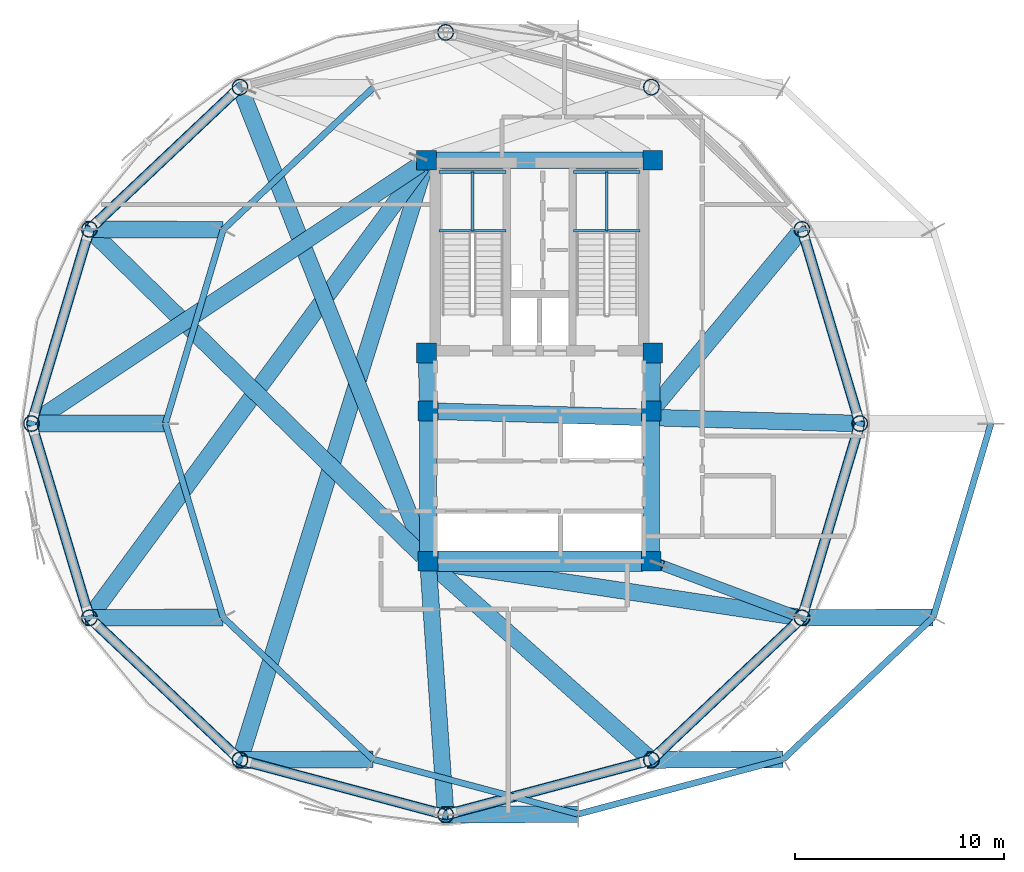
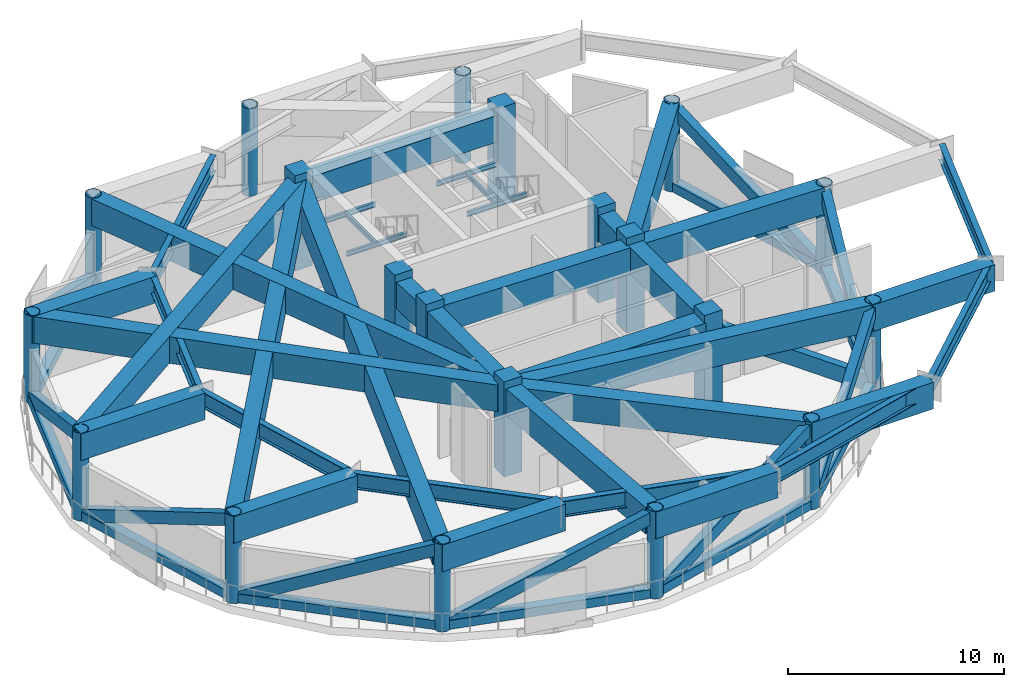
# One storey, part 1 of 8: 37 beams, 20 columns, 19 members.
"""IFC4 building model written with IfcOpenShell, lengths in metres."""

from ifc_helpers import new_model, si_unit, direction, frame, origin, origin_2d, place, context, subcontext, project, spatial, rectangle, hollow_rectangle, hollow_circle, i_section, extrude, material, material_profile, profile_set, type_object, element, save


model = new_model("IFC4")

# Units and contexts
model_context = context("Model", 3, precision=1e-05, world=origin(), true_north=direction((0.0, 1.0)))
body_context = subcontext(model_context, "Body", "Model", "MODEL_VIEW")
ifc_project = project(units=[si_unit("LENGTHUNIT", "METRE"), si_unit("AREAUNIT", "SQUARE_METRE"), si_unit("VOLUMEUNIT", "CUBIC_METRE"), si_unit("PLANEANGLEUNIT", "RADIAN"), si_unit("MASSUNIT", "GRAM", prefix="KILO")], contexts=[model_context])

# Site, building, storey
site_placement = place(None, origin())
site = spatial("IfcSite", under=ifc_project, at=site_placement, CompositionType="ELEMENT")
building_placement = place(site_placement, origin())
building = spatial("IfcBuilding", under=site, at=building_placement, Name="Varnakorn Sky Granary", CompositionType="ELEMENT")
storey_placement = place(building_placement, frame((0.0, 0.0, 173.39990234375)))
storey = spatial("IfcBuildingStorey", under=building, at=storey_placement, Name="L43", CompositionType="ELEMENT", Elevation=173.39990234375)

# Columns
ifc_material_1 = material(Name="Steel S460M", Category="steel")
ifc_material_profile_1 = material_profile(ifc_material_1, hollow_circle(Radius=0.381103515625, WallThickness=0.028076171875, at=origin_2d()), Name="CHS 762x28")
ifc_profile_set_1 = profile_set([ifc_material_profile_1], Name="Steel S460M")
column_type_1 = type_object("IfcColumnType", Name="COL-DC-Z3", PredefinedType="COLUMN", material=ifc_profile_set_1)
for number, where, z_axis, x_axis, name in (
    (1, (18.35009765625, 0.0, 0.0), (0.0, 0.0, 1.0), (1.0, 0.0, 0.0), "Drum Perimeter Column DC01 L43"),
    (2, (15.57373046875, 9.3076171875, 0.0), (0.0, 0.0, 1.0), (1.0, 0.0, 0.0), "Drum Perimeter Column DC02 L43"),
    (3, (8.357421875, 16.12109375, 0.0), (0.0, 0.0, 1.0), (1.0, 0.0, 0.0), "Drum Perimeter Column DC03 L43"),
    (4, (-1.5, 18.75, 0.0), (0.0, 0.0, 1.0), (1.0, 0.0, 0.0), "Drum Perimeter Column DC04 L43"),
    (5, (-11.357421875, 16.12109375, 0.0), (0.0, 0.0, 1.0), (1.0, 0.0, 0.0), "Drum Perimeter Column DC05 L43"),
    (6, (-18.57373046875, 9.3076171875, 0.0), (0.0, 0.0, 1.0), (1.0, 0.0, 0.0), "Drum Perimeter Column DC06 L43"),
    (7, (-21.35009765625, 0.0, 0.0), (0.0, 0.0, 1.0), (1.0, 0.0, 0.0), "Drum Perimeter Column DC07 L43"),
    (8, (-18.57373046875, -9.3076171875, 0.0), (0.0, 0.0, 1.0), (1.0, 0.0, 0.0), "Drum Perimeter Column DC08 L43"),
    (9, (-11.357421875, -16.12109375, 0.0), (0.0, 0.0, 1.0), (1.0, 0.0, 0.0), "Drum Perimeter Column DC09 L43"),
    (10, (-1.5, -18.75, 0.0), (0.0, 0.0, 1.0), (1.0, 0.0, 0.0), "Drum Perimeter Column DC10 L43"),
    (11, (8.357421875, -16.12109375, 0.0), (0.0, 0.0, 1.0), (1.0, 0.0, 0.0), "Drum Perimeter Column DC11 L43"),
    (12, (15.57373046875, -9.3076171875, 0.0), (0.0, 0.0, 1.0), (1.0, 0.0, 0.0), "Drum Perimeter Column DC12 L43"),
):
    element("IfcColumn", number, at=place(storey_placement, frame(where, z_axis=z_axis, x_axis=x_axis)), inside=storey, type_object=column_type_1, Name=name, PredefinedType="COLUMN", context=body_context, shape_type="SweptSolid", body=[
        extrude(hollow_circle(Radius=0.381103515625, WallThickness=0.028076171875, at=origin_2d()), origin(), (0.0, 0.0, 1.0), 4.9501953125),
    ])
ifc_material_2 = material(Name="Concrete C50/60", Category="concrete")
ifc_material_profile_2 = material_profile(ifc_material_2, rectangle(XDim=0.949951171875, YDim=0.949951171875, at=origin_2d()), Name="RC 950x950")
ifc_profile_set_2 = profile_set([ifc_material_profile_2], Name="Concrete C50/60")
column_type_2 = type_object("IfcColumnType", Name="COL-MC-Z3", PredefinedType="COLUMN", material=ifc_profile_set_2)
for number, where, z_axis, x_axis, name in (
    (13, (-2.419921875, 12.6201171875, 0.0), (0.0, 0.0, 1.0), (1.0, 0.0, 0.0), "Backbone Mega-Column MC1 L43"),
    (14, (8.419921875, 12.6201171875, 0.0), (0.0, 0.0, 1.0), (1.0, 0.0, 0.0), "Backbone Mega-Column MC2 L43"),
    (15, (-2.419921875, 3.3798828125, 0.0), (0.0, 0.0, 1.0), (1.0, 0.0, 0.0), "Backbone Mega-Column MC3 L43"),
    (16, (8.419921875, 3.3798828125, 0.0), (0.0, 0.0, 1.0), (1.0, 0.0, 0.0), "Backbone Mega-Column MC4 L43"),
    (17, (-2.35009765625, 0.60009765625, 0.0), (0.0, 0.0, 1.0), (1.0, 0.0, 0.0), "Backbone Mega-Column MC5 L43"),
    (18, (8.35009765625, 0.60009765625, 0.0), (0.0, 0.0, 1.0), (1.0, 0.0, 0.0), "Backbone Mega-Column MC6 L43"),
    (19, (-2.35009765625, -6.60009765625, 0.0), (0.0, 0.0, 1.0), (1.0, 0.0, 0.0), "Backbone Mega-Column MC7 L43"),
    (20, (8.35009765625, -6.60009765625, 0.0), (0.0, 0.0, 1.0), (1.0, 0.0, 0.0), "Backbone Mega-Column MC8 L43"),
):
    element("IfcColumn", number, at=place(storey_placement, frame(where, z_axis=z_axis, x_axis=x_axis)), inside=storey, type_object=column_type_2, Name=name, PredefinedType="COLUMN", context=body_context, shape_type="SweptSolid", body=[
        extrude(rectangle(XDim=0.949951171875, YDim=0.949951171875, at=origin_2d()), origin(), (0.0, 0.0, 1.0), 5.375),
    ])

# Beams
ifc_material_3 = material(Name="Steel S355JR", Category="steel")
ifc_material_profile_3 = material_profile(ifc_material_3, i_section(OverallWidth=0.135009765625, OverallDepth=0.27001953125, WebThickness=0.006591796875, FlangeThickness=0.01025390625, at=origin_2d()), Name="IPE 270")
ifc_profile_set_3 = profile_set([ifc_material_profile_3], Name="Steel S355JR")
beam_type_1 = type_object("IfcBeamType", Name="BM-LND-270", PredefinedType="BEAM", material=ifc_profile_set_3)
for number, where, z_axis, x_axis, name in (
    (21, (-1.820068359375, 9.239990234375, 2.364990234375), (1.0, 0.0, 0.0), (0.0, 1.0, 0.0), "Stair ST-1 Landing Trimmer Beam A L43-1"),
    (22, (-1.820068359375, 12.06005859375, 2.364990234375), (1.0, 0.0, 0.0), (0.0, 1.0, 0.0), "Stair ST-1 Landing Trimmer Beam B L43-1"),
):
    element("IfcBeam", number, at=place(storey_placement, frame(where, z_axis=z_axis, x_axis=x_axis)), inside=storey, type_object=beam_type_1, Name=name, PredefinedType="BEAM", context=body_context, shape_type="SweptSolid", body=[
        extrude(i_section(OverallWidth=0.135009765625, OverallDepth=0.27001953125, WebThickness=0.006591796875, FlangeThickness=0.01025390625, at=origin_2d()), origin(), (0.0, 0.0, 1.0), 3.199951171875),
    ])
beam_1_placement = place(storey_placement, frame((-0.219970703125, 9.239990234375, 2.364990234375), z_axis=(0.0, 1.0, 0.0), x_axis=(-1.0, 0.0, 0.0)))
element("IfcBeam", 23, at=beam_1_placement, inside=storey, type_object=beam_type_1, Name="Stair ST-1 Landing Cross Beam C L43-1", PredefinedType="BEAM", context=body_context, shape_type="SweptSolid", body=[
    extrude(i_section(OverallWidth=0.135009765625, OverallDepth=0.27001953125, WebThickness=0.006591796875, FlangeThickness=0.01025390625, at=origin_2d()), origin(), (0.0, 0.0, 1.0), 2.820068359375),
])
for number, where, z_axis, x_axis, name in (
    (24, (4.6201171875, 9.239990234375, 2.364990234375), (1.0, 0.0, 0.0), (0.0, 1.0, 0.0), "Stair ST-2 Landing Trimmer Beam A L43-1"),
    (25, (4.6201171875, 12.06005859375, 2.364990234375), (1.0, 0.0, 0.0), (0.0, 1.0, 0.0), "Stair ST-2 Landing Trimmer Beam B L43-1"),
):
    element("IfcBeam", number, at=place(storey_placement, frame(where, z_axis=z_axis, x_axis=x_axis)), inside=storey, type_object=beam_type_1, Name=name, PredefinedType="BEAM", context=body_context, shape_type="SweptSolid", body=[
        extrude(i_section(OverallWidth=0.135009765625, OverallDepth=0.27001953125, WebThickness=0.006591796875, FlangeThickness=0.01025390625, at=origin_2d()), origin(), (0.0, 0.0, 1.0), 3.199951171875),
    ])
beam_2_placement = place(storey_placement, frame((6.219970703125, 9.239990234375, 2.364990234375), z_axis=(0.0, 1.0, 0.0), x_axis=(-1.0, 0.0, 0.0)))
element("IfcBeam", 26, at=beam_2_placement, inside=storey, type_object=beam_type_1, Name="Stair ST-2 Landing Cross Beam C L43-1", PredefinedType="BEAM", context=body_context, shape_type="SweptSolid", body=[
    extrude(i_section(OverallWidth=0.135009765625, OverallDepth=0.27001953125, WebThickness=0.006591796875, FlangeThickness=0.01025390625, at=origin_2d()), origin(), (0.0, 0.0, 1.0), 2.820068359375),
])
ifc_material_profile_4 = material_profile(ifc_material_3, i_section(OverallWidth=0.300048828125, OverallDepth=0.89990234375, WebThickness=0.0185546875, FlangeThickness=0.034912109375, at=origin_2d()), Name="HE 900 B")
ifc_profile_set_4 = profile_set([ifc_material_profile_4], Name="Steel S355JR")
beam_type_2 = type_object("IfcBeamType", Name="BM-PG-900", PredefinedType="BEAM", material=ifc_profile_set_4)
beam_3_placement = place(storey_placement, frame((-4.980712890625, 16.084716796875, 4.5), z_axis=(-0.726542778952, -0.687121234101, 0.0), x_axis=(0.687121234101, -0.726542778952, 0.0)))
element("IfcBeam", 27, at=beam_3_placement, inside=storey, type_object=beam_type_2, Name="Upper-Drum Perimeter Ring Girder 5", PredefinedType="BEAM", context=body_context, shape_type="SweptSolid", body=[
    extrude(i_section(OverallWidth=0.300048828125, OverallDepth=0.89990234375, WebThickness=0.0185546875, FlangeThickness=0.034912109375, at=origin_2d()), origin(), (0.0, 0.0, 1.0), 9.8779296875),
])
for number, where, z_axis, x_axis, name in (
    (28, (-12.167724609375, 9.281005859375, 4.5), (-0.28545340644, -0.95839258801, 0.0), (0.95839258801, -0.28545340644, 0.0), "Upper-Drum Perimeter Ring Girder 6"),
    (29, (-14.92919921875, -0.009521484375, 4.5), (0.28545340644, -0.95839258801, 0.0), (0.95839258801, 0.28545340644, 0.0), "Upper-Drum Perimeter Ring Girder 7"),
):
    element("IfcBeam", number, at=place(storey_placement, frame(where, z_axis=z_axis, x_axis=x_axis)), inside=storey, type_object=beam_type_2, Name=name, PredefinedType="BEAM", context=body_context, shape_type="SweptSolid", body=[
        extrude(i_section(OverallWidth=0.300048828125, OverallDepth=0.89990234375, WebThickness=0.0185546875, FlangeThickness=0.034912109375, at=origin_2d()), origin(), (0.0, 0.0, 1.0), 9.674072265625),
    ])
beam_4_placement = place(storey_placement, frame((-12.157470703125, -9.29736328125, 4.5), z_axis=(0.726542778952, -0.687121234101, 0.0), x_axis=(0.687121234101, 0.726542778952, 0.0)))
element("IfcBeam", 30, at=beam_4_placement, inside=storey, type_object=beam_type_2, Name="Upper-Drum Perimeter Ring Girder 8", PredefinedType="BEAM", context=body_context, shape_type="SweptSolid", body=[
    extrude(i_section(OverallWidth=0.300048828125, OverallDepth=0.89990234375, WebThickness=0.0185546875, FlangeThickness=0.034912109375, at=origin_2d()), origin(), (0.0, 0.0, 1.0), 9.8779296875),
])
for number, where, z_axis, x_axis, name in (
    (31, (-4.9638671875, -16.09423828125, 4.5), (0.966119844286, -0.258093871445, 0.0), (0.258093871445, 0.966119844286, 0.0), "Upper-Drum Perimeter Ring Girder 9"),
    (32, (4.859619140625, -18.71337890625, 4.5), (0.966119844286, 0.258093871445, 0.0), (-0.258093871445, 0.966119844286, 0.0), "Upper-Drum Perimeter Ring Girder 10"),
):
    element("IfcBeam", number, at=place(storey_placement, frame(where, z_axis=z_axis, x_axis=x_axis)), inside=storey, type_object=beam_type_2, Name=name, PredefinedType="BEAM", context=body_context, shape_type="SweptSolid", body=[
        extrude(i_section(OverallWidth=0.300048828125, OverallDepth=0.89990234375, WebThickness=0.0185546875, FlangeThickness=0.034912109375, at=origin_2d()), origin(), (0.0, 0.0, 1.0), 10.14794921875),
    ])
beam_5_placement = place(storey_placement, frame((14.680908203125, -16.084716796875, 4.5), z_axis=(0.726531109475, 0.68713357287, 0.0), x_axis=(-0.68713357287, 0.726531109475, 0.0)))
element("IfcBeam", 33, at=beam_5_placement, inside=storey, type_object=beam_type_2, Name="Upper-Drum Perimeter Ring Girder 11", PredefinedType="BEAM", context=body_context, shape_type="SweptSolid", body=[
    extrude(i_section(OverallWidth=0.300048828125, OverallDepth=0.89990234375, WebThickness=0.0185546875, FlangeThickness=0.034912109375, at=origin_2d()), origin(), (0.0, 0.0, 1.0), 9.877685546875),
])
beam_6_placement = place(storey_placement, frame((21.86767578125, -9.281005859375, 4.5), z_axis=(0.28545340644, 0.95839258801, 0.0), x_axis=(-0.95839258801, 0.28545340644, 0.0)))
element("IfcBeam", 34, at=beam_6_placement, inside=storey, type_object=beam_type_2, Name="Upper-Drum Perimeter Ring Girder 12", PredefinedType="BEAM", context=body_context, shape_type="SweptSolid", body=[
    extrude(i_section(OverallWidth=0.300048828125, OverallDepth=0.89990234375, WebThickness=0.0185546875, FlangeThickness=0.034912109375, at=origin_2d()), origin(), (0.0, 0.0, 1.0), 9.674072265625),
])
ifc_material_profile_5 = material_profile(ifc_material_1, hollow_rectangle(XDim=0.800048828125, YDim=1.5, WallThickness=0.0400390625, at=origin_2d()), Name="BOX 800x1500x40")
ifc_profile_set_5 = profile_set([ifc_material_profile_5], Name="Steel S460M")
beam_type_3 = type_object("IfcBeamType", Name="BM-TB-1500", PredefinedType="BEAM", material=ifc_profile_set_5)
beam_7_placement = place(storey_placement, frame((-1.97021484375, 0.589111328125, 4.2001953125), z_axis=(0.999580108334, -0.028975973194, 0.0), x_axis=(0.028975973194, 0.999580108334, 0.0)))
element("IfcBeam", 35, at=beam_7_placement, inside=storey, type_object=beam_type_3, Name="Transfer Back-Span Girder 1", PredefinedType="BEAM", context=body_context, shape_type="SweptSolid", body=[
    extrude(hollow_rectangle(XDim=0.800048828125, YDim=1.5, WallThickness=0.0400390625, at=origin_2d()), origin(), (0.0, 0.0, 1.0), 20.12890625),
])
beam_8_placement = place(storey_placement, frame((8.592529296875, 0.892578125, 4.2001953125), z_axis=(0.638498237366, 0.769623285043, 0.0), x_axis=(-0.769623285043, 0.638498237366, 0.0)))
element("IfcBeam", 36, at=beam_8_placement, inside=storey, type_object=beam_type_3, Name="Transfer Back-Span Girder 2", PredefinedType="BEAM", context=body_context, shape_type="SweptSolid", body=[
    extrude(hollow_rectangle(XDim=0.800048828125, YDim=1.5, WallThickness=0.0400390625, at=origin_2d()), origin(), (0.0, 0.0, 1.0), 10.73388671875),
])
beam_9_placement = place(storey_placement, frame((-2.489990234375, -6.24658203125, 4.2001953125), z_axis=(-0.368532884784, 0.929614712036, 0.0), x_axis=(-0.929614712036, -0.368532884784, 0.0)))
element("IfcBeam", 37, at=beam_9_placement, inside=storey, type_object=beam_type_3, Name="Transfer Back-Span Girder 5", PredefinedType="BEAM", context=body_context, shape_type="SweptSolid", body=[
    extrude(hollow_rectangle(XDim=0.800048828125, YDim=1.5, WallThickness=0.0400390625, at=origin_2d()), origin(), (0.0, 0.0, 1.0), 23.861328125),
])
beam_10_placement = place(storey_placement, frame((-2.621337890625, -6.333984375, 4.2001953125), z_axis=(-0.714030253721, 0.700114845416, 0.0), x_axis=(-0.700114845416, -0.714030253721, 0.0)))
element("IfcBeam", 38, at=beam_10_placement, inside=storey, type_object=beam_type_3, Name="Transfer Back-Span Girder 6", PredefinedType="BEAM", context=body_context, shape_type="SweptSolid", body=[
    extrude(hollow_rectangle(XDim=0.800048828125, YDim=1.5, WallThickness=0.0400390625, at=origin_2d()), origin(), (0.0, 0.0, 1.0), 22.141357421875),
])
beam_11_placement = place(storey_placement, frame((-18.773681640625, 9.30810546875, 4.2001953125), z_axis=(0.999996462828, -0.002659761556, 0.0), x_axis=(0.002659761556, 0.999996462828, 0.0)))
element("IfcBeam", 39, at=beam_11_placement, inside=storey, type_object=beam_type_3, Name="Shifted-Drum Cantilever Transfer Girder 6", PredefinedType="BEAM", context=body_context, shape_type="SweptSolid", body=[
    extrude(hollow_rectangle(XDim=0.800048828125, YDim=1.5, WallThickness=0.0400390625, at=origin_2d()), origin(), (0.0, 0.0, 1.0), 6.60888671875),
])
beam_12_placement = place(storey_placement, frame((-2.736083984375, 12.4091796875, 4.2001953125), z_axis=(-0.832050294338, -0.554700196225, 0.0), x_axis=(0.554700196225, -0.832050294338, 0.0)))
element("IfcBeam", 40, at=beam_12_placement, inside=storey, type_object=beam_type_3, Name="Transfer Back-Span Girder 7", PredefinedType="BEAM", context=body_context, shape_type="SweptSolid", body=[
    extrude(hollow_rectangle(XDim=0.800048828125, YDim=1.5, WallThickness=0.0400390625, at=origin_2d()), origin(), (0.0, 0.0, 1.0), 22.171142578125),
])
beam_13_placement = place(storey_placement, frame((-21.550048828125, 0.0, 4.2001953125), z_axis=(1.0, 0.0, 0.0), x_axis=(0.0, 1.0, 0.0)))
element("IfcBeam", 41, at=beam_13_placement, inside=storey, type_object=beam_type_3, Name="Shifted-Drum Cantilever Transfer Girder 7", PredefinedType="BEAM", context=body_context, shape_type="SweptSolid", body=[
    extrude(hollow_rectangle(XDim=0.800048828125, YDim=1.5, WallThickness=0.0400390625, at=origin_2d()), origin(), (0.0, 0.0, 1.0), 6.6181640625),
])
beam_14_placement = place(storey_placement, frame((-2.6455078125, 12.314208984375, 4.2001953125), z_axis=(-0.593112178557, -0.805119831856, 0.0), x_axis=(0.805119831856, -0.593112178557, 0.0)))
element("IfcBeam", 42, at=beam_14_placement, inside=storey, type_object=beam_type_3, Name="Transfer Back-Span Girder 8", PredefinedType="BEAM", context=body_context, shape_type="SweptSolid", body=[
    extrude(hollow_rectangle(XDim=0.800048828125, YDim=1.5, WallThickness=0.0400390625, at=origin_2d()), origin(), (0.0, 0.0, 1.0), 26.6552734375),
])
beam_15_placement = place(storey_placement, frame((-18.773681640625, -9.30810546875, 4.2001953125), z_axis=(0.999996462828, 0.002659761556, 0.0), x_axis=(-0.002659761556, 0.999996462828, 0.0)))
element("IfcBeam", 43, at=beam_15_placement, inside=storey, type_object=beam_type_3, Name="Shifted-Drum Cantilever Transfer Girder 8", PredefinedType="BEAM", context=body_context, shape_type="SweptSolid", body=[
    extrude(hollow_rectangle(XDim=0.800048828125, YDim=1.5, WallThickness=0.0400390625, at=origin_2d()), origin(), (0.0, 0.0, 1.0), 6.60888671875),
])
beam_16_placement = place(storey_placement, frame((-2.53271484375, 12.257080078125, 4.2001953125), z_axis=(-0.296943383209, -0.954895086996, 0.0), x_axis=(0.954895086996, -0.296943383209, 0.0)))
element("IfcBeam", 44, at=beam_16_placement, inside=storey, type_object=beam_type_3, Name="Transfer Back-Span Girder 9", PredefinedType="BEAM", context=body_context, shape_type="SweptSolid", body=[
    extrude(hollow_rectangle(XDim=0.800048828125, YDim=1.5, WallThickness=0.0400390625, at=origin_2d()), origin(), (0.0, 0.0, 1.0), 29.518798828125),
])
beam_17_placement = place(storey_placement, frame((-11.5576171875, -16.1220703125, 4.2001953125), z_axis=(0.999989258787, 0.004634901455, 0.0), x_axis=(-0.004634901455, 0.999989258787, 0.0)))
element("IfcBeam", 45, at=beam_17_placement, inside=storey, type_object=beam_type_3, Name="Shifted-Drum Cantilever Transfer Girder 9", PredefinedType="BEAM", context=body_context, shape_type="SweptSolid", body=[
    extrude(hollow_rectangle(XDim=0.800048828125, YDim=1.5, WallThickness=0.0400390625, at=origin_2d()), origin(), (0.0, 0.0, 1.0), 6.584228515625),
])
beam_18_placement = place(storey_placement, frame((-2.323486328125, -6.97900390625, 4.2001953125), z_axis=(0.069791637339, -0.997561590759, 0.0), x_axis=(0.997561590759, 0.069791637339, 0.0)))
element("IfcBeam", 46, at=beam_18_placement, inside=storey, type_object=beam_type_3, Name="Transfer Back-Span Girder 10", PredefinedType="BEAM", context=body_context, shape_type="SweptSolid", body=[
    extrude(hollow_rectangle(XDim=0.800048828125, YDim=1.5, WallThickness=0.0400390625, at=origin_2d()), origin(), (0.0, 0.0, 1.0), 11.599853515625),
])
beam_19_placement = place(storey_placement, frame((-1.699951171875, -18.751220703125, 4.2001953125), z_axis=(0.999985596215, 0.005367249091, 0.0), x_axis=(-0.005367249091, 0.999985596215, 0.0)))
element("IfcBeam", 47, at=beam_19_placement, inside=storey, type_object=beam_type_3, Name="Shifted-Drum Cantilever Transfer Girder 10", PredefinedType="BEAM", context=body_context, shape_type="SweptSolid", body=[
    extrude(hollow_rectangle(XDim=0.800048828125, YDim=1.5, WallThickness=0.0400390625, at=origin_2d()), origin(), (0.0, 0.0, 1.0), 6.550048828125),
])
beam_20_placement = place(storey_placement, frame((-2.06591796875, -6.8525390625, 4.2001953125), z_axis=(0.747287817679, -0.664500502294, 0.0), x_axis=(0.664500502294, 0.747287817679, 0.0)))
element("IfcBeam", 48, at=beam_20_placement, inside=storey, type_object=beam_type_3, Name="Transfer Back-Span Girder 11", PredefinedType="BEAM", context=body_context, shape_type="SweptSolid", body=[
    extrude(hollow_rectangle(XDim=0.800048828125, YDim=1.5, WallThickness=0.0400390625, at=origin_2d()), origin(), (0.0, 0.0, 1.0), 13.748291015625),
])
beam_21_placement = place(storey_placement, frame((8.157470703125, -16.1220703125, 4.2001953125), z_axis=(0.999989033053, 0.004683350661, 0.0), x_axis=(-0.004683350661, 0.999989033053, 0.0)))
element("IfcBeam", 49, at=beam_21_placement, inside=storey, type_object=beam_type_3, Name="Shifted-Drum Cantilever Transfer Girder 11", PredefinedType="BEAM", context=body_context, shape_type="SweptSolid", body=[
    extrude(hollow_rectangle(XDim=0.800048828125, YDim=1.5, WallThickness=0.0400390625, at=origin_2d()), origin(), (0.0, 0.0, 1.0), 6.51611328125),
])
beam_22_placement = place(storey_placement, frame((-1.974365234375, -6.65673828125, 4.2001953125), z_axis=(0.988782847743, -0.1493602357, 0.0), x_axis=(0.1493602357, 0.988782847743, 0.0)))
element("IfcBeam", 50, at=beam_22_placement, inside=storey, type_object=beam_type_3, Name="Transfer Back-Span Girder 12", PredefinedType="BEAM", context=body_context, shape_type="SweptSolid", body=[
    extrude(hollow_rectangle(XDim=0.800048828125, YDim=1.5, WallThickness=0.0400390625, at=origin_2d()), origin(), (0.0, 0.0, 1.0), 17.547119140625),
])
beam_23_placement = place(storey_placement, frame((15.373779296875, -9.30810546875, 4.2001953125), z_axis=(0.999996333143, 0.00270808049, 0.0), x_axis=(-0.00270808049, 0.999996333143, 0.0)))
element("IfcBeam", 51, at=beam_23_placement, inside=storey, type_object=beam_type_3, Name="Shifted-Drum Cantilever Transfer Girder 12", PredefinedType="BEAM", context=body_context, shape_type="SweptSolid", body=[
    extrude(hollow_rectangle(XDim=0.800048828125, YDim=1.5, WallThickness=0.0400390625, at=origin_2d()), origin(), (0.0, 0.0, 1.0), 6.490966796875),
])
beam_24_placement = place(storey_placement, frame((-2.02001953125, 12.6201171875, 4.2001953125), z_axis=(1.0, 0.0, 0.0), x_axis=(0.0, 1.0, 0.0)))
element("IfcBeam", 52, at=beam_24_placement, inside=storey, type_object=beam_type_3, Name="Transfer Core Tie Box Girder 1", PredefinedType="BEAM", context=body_context, shape_type="SweptSolid", body=[
    extrude(hollow_rectangle(XDim=0.800048828125, YDim=1.5, WallThickness=0.0400390625, at=origin_2d()), origin(), (0.0, 0.0, 1.0), 10.0400390625),
])
for number, where, z_axis, x_axis, name in (
    (53, (-2.409912109375, 2.97998046875, 4.2001953125), (0.025146176587, -0.999683784906, 0.0), (0.999683784906, 0.025146176587, 0.0), "Transfer Core Tie Box Girder 3"),
    (54, (8.409912109375, 2.97998046875, 4.2001953125), (-0.025146176587, -0.999683784906, 0.0), (0.999683784906, -0.025146176587, 0.0), "Transfer Core Tie Box Girder 4"),
):
    element("IfcBeam", number, at=place(storey_placement, frame(where, z_axis=z_axis, x_axis=x_axis)), inside=storey, type_object=beam_type_3, Name=name, PredefinedType="BEAM", context=body_context, shape_type="SweptSolid", body=[
        extrude(hollow_rectangle(XDim=0.800048828125, YDim=1.5, WallThickness=0.0400390625, at=origin_2d()), origin(), (0.0, 0.0, 1.0), 1.980712890625),
    ])
for number, where, z_axis, x_axis, name in (
    (55, (-2.35009765625, 0.199951171875, 4.2001953125), (0.0, -1.0, 0.0), (1.0, 0.0, 0.0), "Transfer Core Tie Box Girder 5"),
    (56, (8.35009765625, 0.199951171875, 4.2001953125), (0.0, -1.0, 0.0), (1.0, 0.0, 0.0), "Transfer Core Tie Box Girder 6"),
):
    element("IfcBeam", number, at=place(storey_placement, frame(where, z_axis=z_axis, x_axis=x_axis)), inside=storey, type_object=beam_type_3, Name=name, PredefinedType="BEAM", context=body_context, shape_type="SweptSolid", body=[
        extrude(hollow_rectangle(XDim=0.800048828125, YDim=1.5, WallThickness=0.0400390625, at=origin_2d()), origin(), (0.0, 0.0, 1.0), 6.39990234375),
    ])
ifc_material_profile_6 = material_profile(ifc_material_1, hollow_rectangle(XDim=1.0, YDim=2.199951171875, WallThickness=0.050048828125, at=origin_2d()), Name="BOX 1000x2200x50")
ifc_profile_set_6 = profile_set([ifc_material_profile_6], Name="Steel S460M")
beam_type_4 = type_object("IfcBeamType", Name="BM-TB-2200", PredefinedType="BEAM", material=ifc_profile_set_6)
beam_25_placement = place(storey_placement, frame((-1.949951171875, -6.60009765625, 3.85009765625), z_axis=(1.0, 0.0, 0.0), x_axis=(0.0, 1.0, 0.0)))
element("IfcBeam", 57, at=beam_25_placement, inside=storey, type_object=beam_type_4, Name="Transfer Core Tie Box Girder 2", PredefinedType="BEAM", context=body_context, shape_type="SweptSolid", body=[
    extrude(hollow_rectangle(XDim=1.0, YDim=2.199951171875, WallThickness=0.050048828125, at=origin_2d()), origin(), (0.0, 0.0, 1.0), 9.89990234375),
])

# Members
ifc_material_profile_7 = material_profile(ifc_material_1, hollow_rectangle(XDim=0.449951171875, YDim=0.64990234375, WallThickness=0.02490234375, at=origin_2d()), Name="RHS 450x650x25")
ifc_profile_set_7 = profile_set([ifc_material_profile_7], Name="Steel S460M")
member_type_1 = type_object("IfcMemberType", Name="MB-BELT-650", PredefinedType="BRACE", material=ifc_profile_set_7)
member_1_placement = place(storey_placement, frame((18.35009765625, 0.0, 0.150146484375), z_axis=(-0.259868793426, 0.871195733429, 0.416516751474), x_axis=(-0.958276165417, -0.285843997302, 0.0)))
element("IfcMember", 58, at=member_1_placement, inside=storey, type_object=member_type_1, Name="Perimeter Belt-Truss Diagonal BT01 L43", PredefinedType="BRACE", context=body_context, shape_type="SweptSolid", body=[
    extrude(hollow_rectangle(XDim=0.449951171875, YDim=0.64990234375, WallThickness=0.02490234375, at=origin_2d()), origin(), (0.0, 0.0, 1.0), 10.683837890625),
])
member_2_placement = place(storey_placement, frame((-11.357421875, 16.12109375, 0.150146484375), z_axis=(-0.663470402032, -0.626433858174, 0.409130354484), x_axis=(0.686520954925, -0.727110018119, 0.0)))
element("IfcMember", 59, at=member_2_placement, inside=storey, type_object=member_type_1, Name="Perimeter Belt-Truss Diagonal BT05 L43", PredefinedType="BRACE", context=body_context, shape_type="SweptSolid", body=[
    extrude(hollow_rectangle(XDim=0.449951171875, YDim=0.64990234375, WallThickness=0.02490234375, at=origin_2d()), origin(), (0.0, 0.0, 1.0), 10.876708984375),
])
for number, where, z_axis, x_axis, name in (
    (60, (-18.57373046875, 9.3076171875, 0.150146484375), (-0.259868793426, -0.871195733429, 0.416516751474), (0.958276165417, -0.285843997302, 0.0), "Perimeter Belt-Truss Diagonal BT06 L43"),
    (61, (-21.35009765625, 0.0, 0.150146484375), (0.259868793426, -0.871195733429, 0.416516751474), (0.958276165417, 0.285843997302, 0.0), "Perimeter Belt-Truss Diagonal BT07 L43"),
):
    element("IfcMember", number, at=place(storey_placement, frame(where, z_axis=z_axis, x_axis=x_axis)), inside=storey, type_object=member_type_1, Name=name, PredefinedType="BRACE", context=body_context, shape_type="SweptSolid", body=[
        extrude(hollow_rectangle(XDim=0.449951171875, YDim=0.64990234375, WallThickness=0.02490234375, at=origin_2d()), origin(), (0.0, 0.0, 1.0), 10.683837890625),
    ])
member_3_placement = place(storey_placement, frame((-18.57373046875, -9.3076171875, 0.150146484375), z_axis=(0.663470402032, -0.626433858174, 0.409130354484), x_axis=(0.686520954925, 0.727110018119, 0.0)))
element("IfcMember", 62, at=member_3_placement, inside=storey, type_object=member_type_1, Name="Perimeter Belt-Truss Diagonal BT08 L43", PredefinedType="BRACE", context=body_context, shape_type="SweptSolid", body=[
    extrude(hollow_rectangle(XDim=0.449951171875, YDim=0.64990234375, WallThickness=0.02490234375, at=origin_2d()), origin(), (0.0, 0.0, 1.0), 10.876708984375),
])
for number, where, z_axis, x_axis, name in (
    (63, (-11.357421875, -16.12109375, 0.150146484375), (0.885644185202, -0.236195179965, 0.39980772151), (0.25768648195, 0.966228584249, 0.0), "Perimeter Belt-Truss Diagonal BT09 L43"),
    (64, (-1.5, -18.75, 0.150146484375), (0.885644185202, 0.236195179965, 0.39980772151), (-0.25768648195, 0.966228584249, 0.0), "Perimeter Belt-Truss Diagonal BT10 L43"),
):
    element("IfcMember", number, at=place(storey_placement, frame(where, z_axis=z_axis, x_axis=x_axis)), inside=storey, type_object=member_type_1, Name=name, PredefinedType="BRACE", context=body_context, shape_type="SweptSolid", body=[
        extrude(hollow_rectangle(XDim=0.449951171875, YDim=0.64990234375, WallThickness=0.02490234375, at=origin_2d()), origin(), (0.0, 0.0, 1.0), 11.130126953125),
    ])
member_4_placement = place(storey_placement, frame((8.357421875, -16.12109375, 0.150146484375), z_axis=(0.663470402032, 0.626433858174, 0.409130354484), x_axis=(-0.686520954925, 0.727110018119, 0.0)))
element("IfcMember", 65, at=member_4_placement, inside=storey, type_object=member_type_1, Name="Perimeter Belt-Truss Diagonal BT11 L43", PredefinedType="BRACE", context=body_context, shape_type="SweptSolid", body=[
    extrude(hollow_rectangle(XDim=0.449951171875, YDim=0.64990234375, WallThickness=0.02490234375, at=origin_2d()), origin(), (0.0, 0.0, 1.0), 10.876708984375),
])
member_5_placement = place(storey_placement, frame((15.57373046875, -9.3076171875, 0.150146484375), z_axis=(0.259868793426, 0.871195733429, 0.416516751474), x_axis=(-0.958276165417, 0.285843997302, 0.0)))
element("IfcMember", 66, at=member_5_placement, inside=storey, type_object=member_type_1, Name="Perimeter Belt-Truss Diagonal BT12 L43", PredefinedType="BRACE", context=body_context, shape_type="SweptSolid", body=[
    extrude(hollow_rectangle(XDim=0.449951171875, YDim=0.64990234375, WallThickness=0.02490234375, at=origin_2d()), origin(), (0.0, 0.0, 1.0), 10.683837890625),
])
ifc_material_profile_8 = material_profile(ifc_material_1, hollow_rectangle(XDim=0.5, YDim=0.5, WallThickness=0.02490234375, at=origin_2d()), Name="SHS 500x500x25")
ifc_profile_set_8 = profile_set([ifc_material_profile_8], Name="Steel S460M")
member_type_2 = type_object("IfcMemberType", Name="MB-CHD-500", PredefinedType="CHORD", material=ifc_profile_set_8)
member_6_placement = place(storey_placement, frame((18.35009765625, 0.0, 0.25), z_axis=(-0.285843997302, 0.958276165417, 0.0), x_axis=(-0.958276165417, -0.285843997302, 0.0)))
element("IfcMember", 67, at=member_6_placement, inside=storey, type_object=member_type_2, Name="Belt-Truss Bottom Chord BCH01 L43", PredefinedType="CHORD", context=body_context, shape_type="SweptSolid", body=[
    extrude(hollow_rectangle(XDim=0.5, YDim=0.5, WallThickness=0.02490234375, at=origin_2d()), origin(), (0.0, 0.0, 1.0), 9.712890625),
])
member_7_placement = place(storey_placement, frame((-11.357421875, 16.12109375, 0.25), z_axis=(-0.727110018119, -0.686520954925, 0.0), x_axis=(0.686520954925, -0.727110018119, 0.0)))
element("IfcMember", 68, at=member_7_placement, inside=storey, type_object=member_type_2, Name="Belt-Truss Bottom Chord BCH05 L43", PredefinedType="CHORD", context=body_context, shape_type="SweptSolid", body=[
    extrude(hollow_rectangle(XDim=0.5, YDim=0.5, WallThickness=0.02490234375, at=origin_2d()), origin(), (0.0, 0.0, 1.0), 9.924560546875),
])
for number, where, z_axis, x_axis, name in (
    (69, (-18.57373046875, 9.3076171875, 0.25), (-0.285843997302, -0.958276165417, 0.0), (0.958276165417, -0.285843997302, 0.0), "Belt-Truss Bottom Chord BCH06 L43"),
    (70, (-21.35009765625, 0.0, 0.25), (0.285843997302, -0.958276165417, 0.0), (0.958276165417, 0.285843997302, 0.0), "Belt-Truss Bottom Chord BCH07 L43"),
):
    element("IfcMember", number, at=place(storey_placement, frame(where, z_axis=z_axis, x_axis=x_axis)), inside=storey, type_object=member_type_2, Name=name, PredefinedType="CHORD", context=body_context, shape_type="SweptSolid", body=[
        extrude(hollow_rectangle(XDim=0.5, YDim=0.5, WallThickness=0.02490234375, at=origin_2d()), origin(), (0.0, 0.0, 1.0), 9.712890625),
    ])
member_8_placement = place(storey_placement, frame((-18.57373046875, -9.3076171875, 0.25), z_axis=(0.727110018119, -0.686520954925, 0.0), x_axis=(0.686520954925, 0.727110018119, 0.0)))
element("IfcMember", 71, at=member_8_placement, inside=storey, type_object=member_type_2, Name="Belt-Truss Bottom Chord BCH08 L43", PredefinedType="CHORD", context=body_context, shape_type="SweptSolid", body=[
    extrude(hollow_rectangle(XDim=0.5, YDim=0.5, WallThickness=0.02490234375, at=origin_2d()), origin(), (0.0, 0.0, 1.0), 9.924560546875),
])
for number, where, z_axis, x_axis, name in (
    (72, (-11.357421875, -16.12109375, 0.25), (0.966228584249, -0.25768648195, 0.0), (0.25768648195, 0.966228584249, 0.0), "Belt-Truss Bottom Chord BCH09 L43"),
    (73, (-1.5, -18.75, 0.25), (0.966228584249, 0.25768648195, 0.0), (-0.25768648195, 0.966228584249, 0.0), "Belt-Truss Bottom Chord BCH10 L43"),
):
    element("IfcMember", number, at=place(storey_placement, frame(where, z_axis=z_axis, x_axis=x_axis)), inside=storey, type_object=member_type_2, Name=name, PredefinedType="CHORD", context=body_context, shape_type="SweptSolid", body=[
        extrude(hollow_rectangle(XDim=0.5, YDim=0.5, WallThickness=0.02490234375, at=origin_2d()), origin(), (0.0, 0.0, 1.0), 10.201904296875),
    ])
member_9_placement = place(storey_placement, frame((8.357421875, -16.12109375, 0.25), z_axis=(0.727110018119, 0.686520954925, 0.0), x_axis=(-0.686520954925, 0.727110018119, 0.0)))
element("IfcMember", 74, at=member_9_placement, inside=storey, type_object=member_type_2, Name="Belt-Truss Bottom Chord BCH11 L43", PredefinedType="CHORD", context=body_context, shape_type="SweptSolid", body=[
    extrude(hollow_rectangle(XDim=0.5, YDim=0.5, WallThickness=0.02490234375, at=origin_2d()), origin(), (0.0, 0.0, 1.0), 9.924560546875),
])
member_10_placement = place(storey_placement, frame((15.57373046875, -9.3076171875, 0.25), z_axis=(0.285843997302, 0.958276165417, 0.0), x_axis=(-0.958276165417, 0.285843997302, 0.0)))
element("IfcMember", 75, at=member_10_placement, inside=storey, type_object=member_type_2, Name="Belt-Truss Bottom Chord BCH12 L43", PredefinedType="CHORD", context=body_context, shape_type="SweptSolid", body=[
    extrude(hollow_rectangle(XDim=0.5, YDim=0.5, WallThickness=0.02490234375, at=origin_2d()), origin(), (0.0, 0.0, 1.0), 9.712890625),
])
ifc_material_profile_9 = material_profile(ifc_material_1, hollow_rectangle(XDim=0.5, YDim=0.800048828125, WallThickness=0.030029296875, at=origin_2d()), Name="RHS 500x800x30")
ifc_profile_set_9 = profile_set([ifc_material_profile_9], Name="Steel S460M")
member_type_3 = type_object("IfcMemberType", Name="MB-OUT-800", PredefinedType="BRACE", material=ifc_profile_set_9)
member_11_placement = place(storey_placement, frame((8.743408203125, -6.747314453125, 4.10009765625), z_axis=(0.828455354727, -0.310518772178, -0.466089924102), x_axis=(0.350972829791, 0.936385643177, 0.0)))
element("IfcMember", 76, at=member_11_placement, inside=storey, type_object=member_type_3, Name="Radial Outrigger Truss Diagonal OUT12 L43", PredefinedType="BRACE", context=body_context, shape_type="SweptSolid", body=[
    extrude(hollow_rectangle(XDim=0.5, YDim=0.800048828125, WallThickness=0.030029296875, at=origin_2d()), origin(), (0.0, 0.0, 1.0), 7.830810546875),
])

save(model, "model.ifc")
